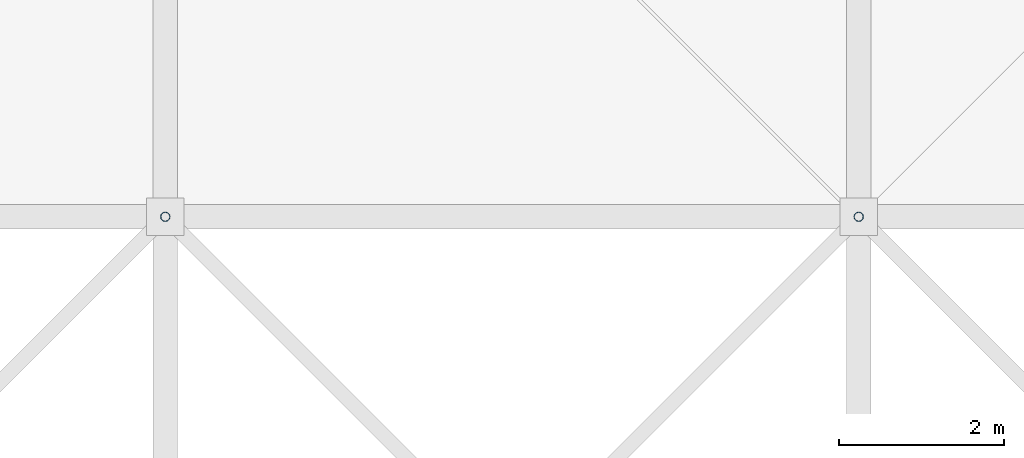
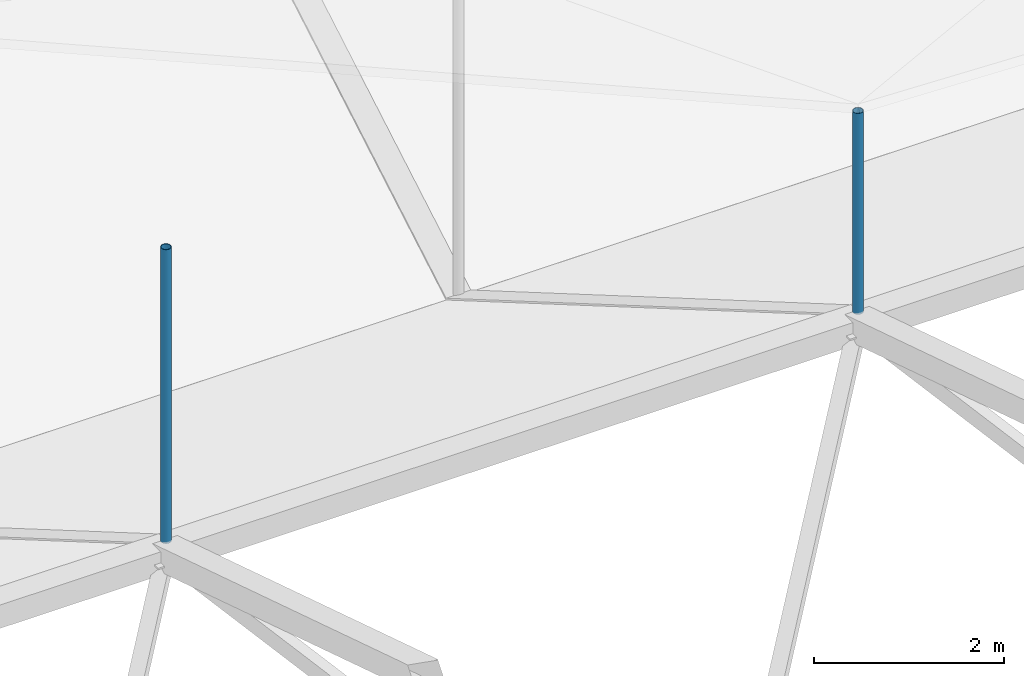
# One storey, part 81 of 111: 2 discrete accessories.
"""IFC4 building model written with IfcOpenShell, lengths in metres."""

from ifc_helpers import new_model, si_unit, direction, frame, origin, origin_2d, place, context, subcontext, project, spatial, hollow_circle, extrude, material, material_profile, profile_set, type_object, element, save


model = new_model("IFC4")

# Units and contexts
model_context = context("Model", 3, precision=1e-05, world=origin(), true_north=direction((0.0, 1.0)))
body_context = subcontext(model_context, "Body", "Model", "MODEL_VIEW")
ifc_project = project(units=[si_unit("LENGTHUNIT", "METRE"), si_unit("AREAUNIT", "SQUARE_METRE"), si_unit("VOLUMEUNIT", "CUBIC_METRE"), si_unit("PLANEANGLEUNIT", "RADIAN"), si_unit("MASSUNIT", "GRAM", prefix="KILO")], contexts=[model_context])

# Site, building, storey
site_placement = place(None, origin())
site = spatial("IfcSite", under=ifc_project, at=site_placement, CompositionType="ELEMENT")
building_placement = place(site_placement, origin())
building = spatial("IfcBuilding", under=site, at=building_placement, Name="Rain Tree Exposition and Congress Centre", CompositionType="ELEMENT")
storey_placement = place(building_placement, frame((0.0, 0.0, 19.5)))
storey = spatial("IfcBuildingStorey", under=building, at=storey_placement, Name="RF", CompositionType="ELEMENT", Elevation=19.5)

# Discrete accessories
ifc_material = material(Name="Steel S355J2H", Category="steel")
ifc_material_profile = material_profile(ifc_material, hollow_circle(Radius=0.05712890625, WallThickness=0.00439453125, at=origin_2d()), Name="CHS 114x4.5")
ifc_profile_set = profile_set([ifc_material_profile], Name="Steel S355J2H")
discrete_accessory_type = type_object("IfcDiscreteAccessoryType", Name="Roof skin post CHS 114x4.5", PredefinedType="BRACKET", material=ifc_profile_set)
discrete_accessory_1_placement = place(storey_placement, frame((210.0, 142.800048828125, 5.39404296875), z_axis=(0.0, 0.0, 1.0), x_axis=(1.0, 0.0, 0.0)))
element("IfcDiscreteAccessory", 1, at=discrete_accessory_1_placement, inside=storey, type_object=discrete_accessory_type, Name="Roof skin post B74", PredefinedType="BRACKET", context=body_context, shape_type="SweptSolid", body=[
    extrude(hollow_circle(Radius=0.05712890625, WallThickness=0.00439453125, at=origin_2d()), origin(), (0.0, 0.0, 1.0), 3.77294921875),
])
discrete_accessory_2_placement = place(storey_placement, frame((218.39990234375, 142.800048828125, 5.39404296875), z_axis=(0.0, 0.0, 1.0), x_axis=(1.0, 0.0, 0.0)))
element("IfcDiscreteAccessory", 2, at=discrete_accessory_2_placement, inside=storey, type_object=discrete_accessory_type, Name="Roof skin post B75", PredefinedType="BRACKET", context=body_context, shape_type="SweptSolid", body=[
    extrude(hollow_circle(Radius=0.05712890625, WallThickness=0.00439453125, at=origin_2d()), origin(), (0.0, 0.0, 1.0), 2.580810546875),
])

save(model, "model.ifc")
